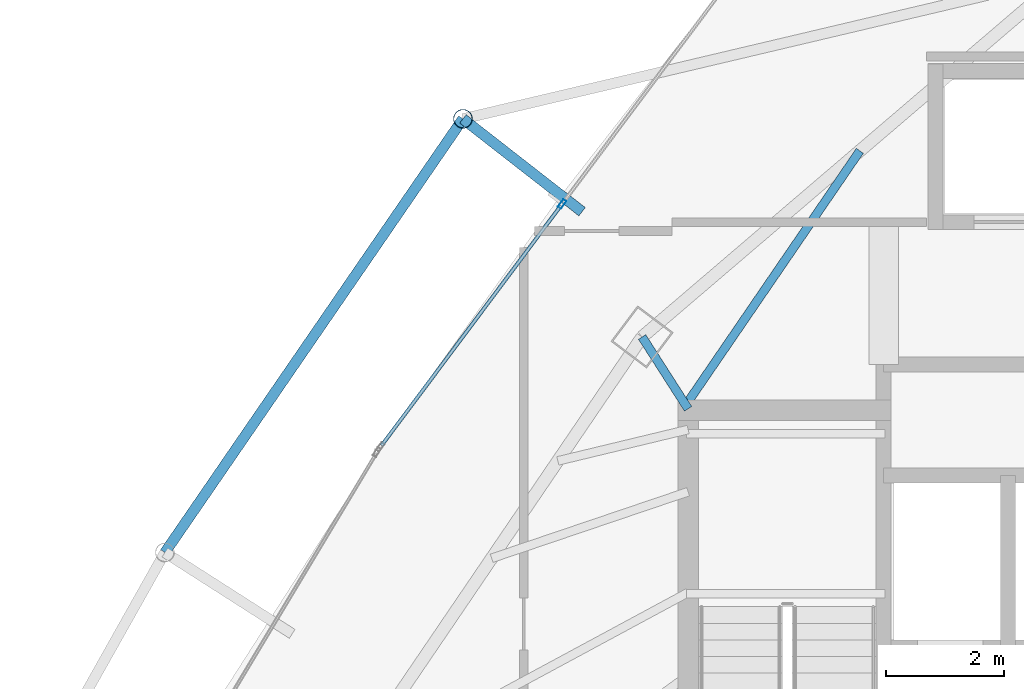
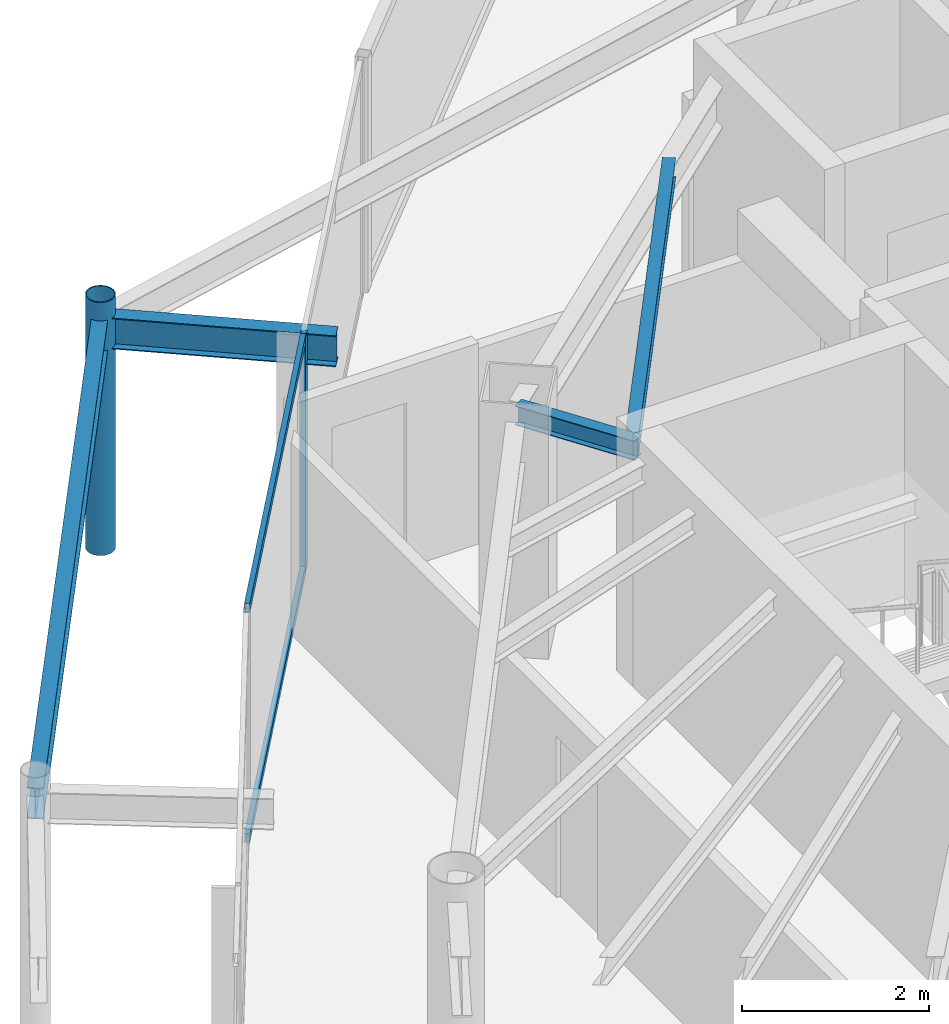
# One storey, part 23 of 33: 4 beams, 4 members, 1 element without a shape of its own.
"""IFC4 building model written with IfcOpenShell, lengths in metres."""

from ifc_helpers import new_model, si_unit, direction, frame, origin, origin_2d, place, context, subcontext, project, spatial, hollow_rectangle, hollow_circle, i_section, extrude, material, layer, layer_set, material_profile, profile_set, type_object, element, aggregate, save


model = new_model("IFC4")

# Units and contexts
model_context = context("Model", 3, precision=1e-05, world=origin(), true_north=direction((0.0, 1.0)))
body_context = subcontext(model_context, "Body", "Model", "MODEL_VIEW")
ifc_project = project(units=[si_unit("LENGTHUNIT", "METRE"), si_unit("AREAUNIT", "SQUARE_METRE"), si_unit("VOLUMEUNIT", "CUBIC_METRE"), si_unit("PLANEANGLEUNIT", "RADIAN"), si_unit("MASSUNIT", "GRAM", prefix="KILO")], contexts=[model_context])

# Site, building, storey
site_placement = place(None, origin())
site = spatial("IfcSite", under=ifc_project, at=site_placement, CompositionType="ELEMENT")
building_placement = place(site_placement, origin())
building = spatial("IfcBuilding", under=site, at=building_placement, Name="Orvanel Arch Residences", CompositionType="ELEMENT")
storey_placement = place(building_placement, frame((0.0, 0.0, 196.39990234375)))
storey = spatial("IfcBuildingStorey", under=building, at=storey_placement, Name="L55", CompositionType="ELEMENT", Elevation=196.39990234375)

# Beams
ifc_material_1 = material(Name="Structural steel AS/NZS 3679.1 Grade 300 (300 MPa)", Category="steel")
ifc_material_profile_1 = material_profile(ifc_material_1, i_section(OverallWidth=0.14599609375, OverallDepth=0.251953125, WebThickness=0.006103515625, FlangeThickness=0.008544921875, at=origin_2d()), Name="250UB31.4")
ifc_profile_set_1 = profile_set([ifc_material_profile_1], Name="Structural steel AS/NZS 3679.1 Grade 300 (300 MPa)")
beam_type_1 = type_object("IfcBeamType", Name="BJ-250UB", PredefinedType="JOIST", material=ifc_profile_set_1)
beam_1_placement = place(storey_placement, frame((26.425048828125, 33.89990234375, 2.93408203125), z_axis=(-0.539395075146, 0.842052820735, 0.0), x_axis=(-0.842052820735, -0.539395075146, 0.0)))
element("IfcBeam", 1, at=beam_1_placement, inside=storey, type_object=beam_type_1, Name="L55 NNW Wing Floor Joist", PredefinedType="JOIST", context=body_context, shape_type="SweptSolid", body=[
    extrude(i_section(OverallWidth=0.14599609375, OverallDepth=0.251953125, WebThickness=0.006103515625, FlangeThickness=0.008544921875, at=origin_2d()), origin(), (0.0, 0.0, 1.0), 1.440673828125),
])
beam_2_placement = place(storey_placement, frame((26.425048828125, 34.02001953125, 2.93408203125), z_axis=(0.564868085352, 0.825181220188, 0.0), x_axis=(-0.825181220188, 0.564868085352, 0.0)))
element("IfcBeam", 2, at=beam_2_placement, inside=storey, type_object=beam_type_1, Name="L55 NNW2 Wing Floor Joist", PredefinedType="JOIST", context=body_context, shape_type="SweptSolid", body=[
    extrude(i_section(OverallWidth=0.14599609375, OverallDepth=0.251953125, WebThickness=0.006103515625, FlangeThickness=0.008544921875, at=origin_2d()), origin(), (0.0, 0.0, 1.0), 5.132080078125),
])

# Curtain wall, member
ifc_material_2 = material(Name="Bronze-anodised aluminium AA6063-T6", Category="aluminium")
ifc_layer = layer(ifc_material_2, 0.175048828125)
ifc_layer_set = layer_set([ifc_layer], Name="Bronze-anodised aluminium AA6063-T6")
curtain_wall_type = type_object("IfcCurtainWallType", Name="CW4-HI-SYS", PredefinedType="NOTDEFINED", material=ifc_layer_set)
curtain_wall_placement = place(storey_placement, origin())
curtain_wall = element("IfcCurtainWall", 3, at=curtain_wall_placement, inside=storey, type_object=curtain_wall_type, Name="L55 CW4-HI-SYS Unitised Curtain Wall", PredefinedType="NOTDEFINED")
ifc_material_profile_2 = material_profile(ifc_material_2, hollow_rectangle(XDim=0.06494140625, YDim=0.159912109375, WallThickness=0.00390625, at=origin_2d()), Name="ALU160x65x4")
ifc_profile_set_2 = profile_set([ifc_material_profile_2], Name="Bronze-anodised aluminium AA6063-T6")
member_type_1 = type_object("IfcMemberType", Name="MUL-160x65", PredefinedType="MULLION", material=ifc_profile_set_2)
member_1_placement = place(storey_placement, frame((24.297607421875, 37.35693359375, 0.0), z_axis=(0.0, 0.0, 1.0), x_axis=(0.800790783216, -0.598944172287, 0.0)))
member_1 = element("IfcMember", 4, at=member_1_placement, type_object=member_type_1, Name="CW-S4 mullion 2", PredefinedType="MULLION", context=body_context, shape_type="SweptSolid", body=[
    extrude(hollow_rectangle(XDim=0.06494140625, YDim=0.159912109375, WallThickness=0.00390625, at=origin_2d()), origin(), (0.0, 0.0, 1.0), 3.06005859375),
])

# Beams
ifc_material_profile_3 = material_profile(ifc_material_1, i_section(OverallWidth=0.177978515625, OverallDepth=0.406005859375, WebThickness=0.0078125, FlangeThickness=0.0126953125, at=origin_2d()), Name="410UB59.7")
ifc_profile_set_3 = profile_set([ifc_material_profile_3], Name="Structural steel AS/NZS 3679.1 Grade 300 (300 MPa)")
beam_type_2 = type_object("IfcBeamType", Name="OB-410UB-EXT", PredefinedType="SPANDREL", material=ifc_profile_set_3)
beam_3_placement = place(storey_placement, frame((24.635009765625, 37.22705078125, 2.857177734375), z_axis=(-0.788635080154, 0.614861537544, 0.0), x_axis=(-0.614861537544, -0.788635080154, 0.0)))
element("IfcBeam", 5, at=beam_3_placement, inside=storey, type_object=beam_type_2, Name="L55 Outer Frame Radial Tie Beam 01", PredefinedType="SPANDREL", context=body_context, shape_type="SweptSolid", body=[
    extrude(i_section(OverallWidth=0.177978515625, OverallDepth=0.406005859375, WebThickness=0.0078125, FlangeThickness=0.0126953125, at=origin_2d()), origin(), (0.0, 0.0, 1.0), 2.550048828125),
])
beam_4_placement = place(storey_placement, frame((22.6240234375, 38.794921875, 2.857177734375), z_axis=(-0.566423828301, -0.824114098128, 0.0), x_axis=(0.824114098128, -0.566423828301, 0.0)))
element("IfcBeam", 6, at=beam_4_placement, inside=storey, type_object=beam_type_2, Name="L55 Outer Perimeter Floor Ring Beam 01", PredefinedType="SPANDREL", context=body_context, shape_type="SweptSolid", body=[
    extrude(i_section(OverallWidth=0.177978515625, OverallDepth=0.406005859375, WebThickness=0.0078125, FlangeThickness=0.0126953125, at=origin_2d()), origin(), (0.0, 0.0, 1.0), 8.882080078125),
])

# Member
ifc_material_3 = material(Name="Structural steel AS/NZS 1163 C350L0 (Grade 350)", Category="steel")
ifc_material_profile_4 = material_profile(ifc_material_3, hollow_circle(Radius=0.162109375, WallThickness=0.0126953125, at=origin_2d()), Name="CHS324x12.7")
ifc_profile_set_4 = profile_set([ifc_material_profile_4], Name="Structural steel AS/NZS 1163 C350L0 (Grade 350)")
member_type_2 = type_object("IfcMemberType", Name="ST-324CHS-EXT", PredefinedType="STRUT", material=ifc_profile_set_4)
member_2_placement = place(storey_placement, frame((22.6240234375, 38.794921875, 0.0), z_axis=(0.0, 0.0, 1.0), x_axis=(1.0, 0.0, 0.0)))
element("IfcMember", 7, at=member_2_placement, inside=storey, type_object=member_type_2, Name="L55 Outer Perimeter Frame Post 01", PredefinedType="STRUT", context=body_context, shape_type="SweptSolid", body=[
    extrude(hollow_circle(Radius=0.162109375, WallThickness=0.0126953125, at=origin_2d()), origin(), (0.0, 0.0, 1.0), 3.300048828125),
])

ifc_material_profile_5 = material_profile(ifc_material_2, hollow_rectangle(XDim=0.06005859375, YDim=0.1201171875, WallThickness=0.00341796875, at=origin_2d()), Name="ALU120x60x3.5")
ifc_profile_set_5 = profile_set([ifc_material_profile_5], Name="Bronze-anodised aluminium AA6063-T6")
member_type_3 = type_object("IfcMemberType", Name="TRN-120x60", PredefinedType="USERDEFINED", material=ifc_profile_set_5)
member_3_placement = place(storey_placement, frame((24.278076171875, 37.3310546875, 0.030029296875), z_axis=(-0.598925863261, -0.800804476959, 0.0), x_axis=(0.800804476959, -0.598925863261, 0.0)))
member_3 = element("IfcMember", 8, at=member_3_placement, type_object=member_type_3, Name="CW-S4 transom 2.1", ObjectType="TRANSOM", PredefinedType="USERDEFINED", context=body_context, shape_type="SweptSolid", body=[
    extrude(hollow_rectangle(XDim=0.06005859375, YDim=0.1201171875, WallThickness=0.00341796875, at=origin_2d()), origin(), (0.0, 0.0, 1.0), 5.057373046875),
])

member_4_placement = place(storey_placement, frame((24.278076171875, 37.3310546875, 3.030029296875), z_axis=(-0.598925863261, -0.800804476959, 0.0), x_axis=(0.800804476959, -0.598925863261, 0.0)))
member_4 = element("IfcMember", 9, at=member_4_placement, type_object=member_type_3, Name="CW-S4 transom 2.2", ObjectType="TRANSOM", PredefinedType="USERDEFINED", context=body_context, shape_type="SweptSolid", body=[
    extrude(hollow_rectangle(XDim=0.06005859375, YDim=0.1201171875, WallThickness=0.00341796875, at=origin_2d()), origin(), (0.0, 0.0, 1.0), 5.057373046875),
])

aggregate(curtain_wall, [member_1, member_3, member_4])

save(model, "model.ifc")
